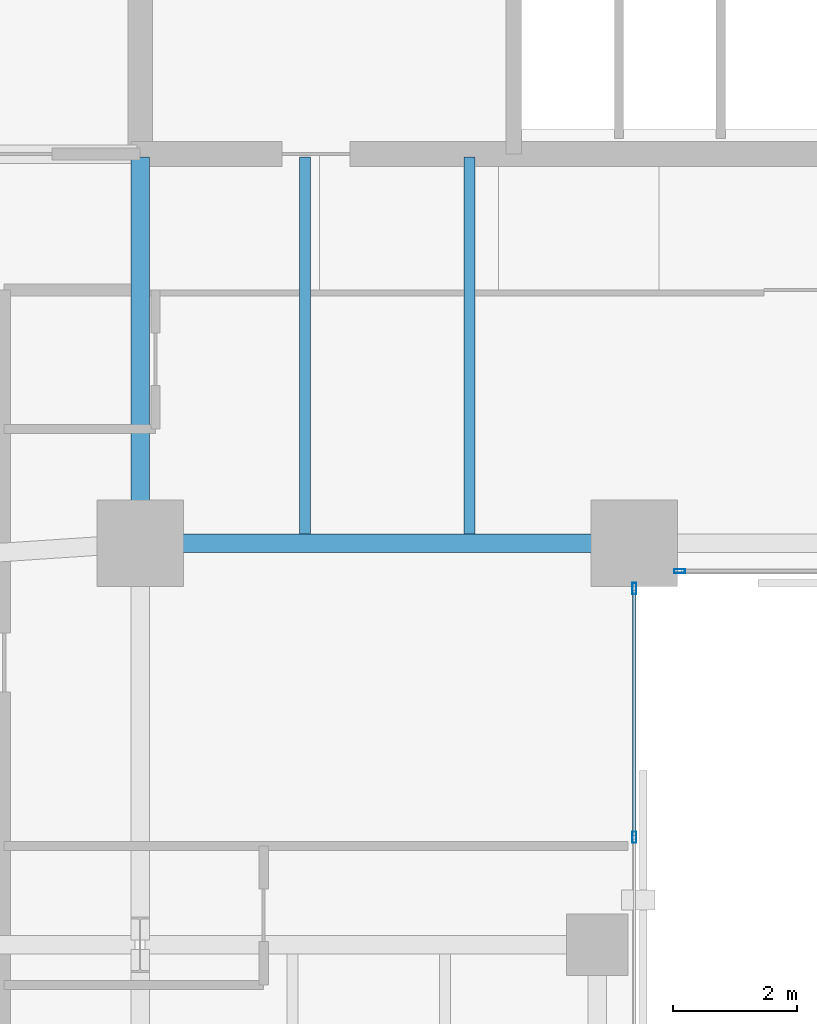
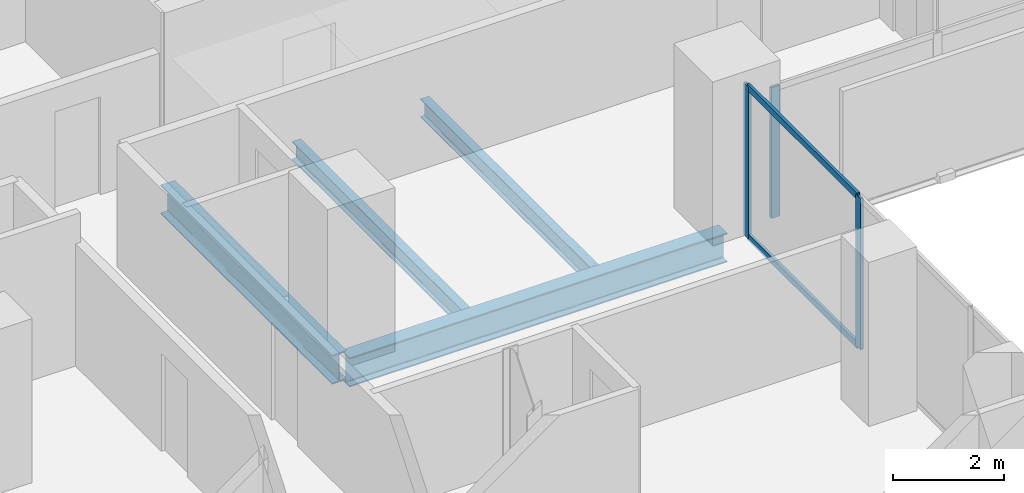
# One storey, part 12 of 32: 5 members, 4 beams, 2 elements without a shape of their own.
"""IFC4 building model written with IfcOpenShell, lengths in metres."""

from ifc_helpers import new_model, si_unit, direction, frame, origin, origin_2d, place, context, subcontext, project, spatial, hollow_rectangle, i_section, extrude, material, layer, layer_set, material_profile, profile_set, type_object, element, aggregate, save


model = new_model("IFC4")

# Units and contexts
model_context = context("Model", 3, precision=1e-05, world=origin(), true_north=direction((0.0, 1.0)))
body_context = subcontext(model_context, "Body", "Model", "MODEL_VIEW")
ifc_project = project(units=[si_unit("LENGTHUNIT", "METRE"), si_unit("AREAUNIT", "SQUARE_METRE"), si_unit("VOLUMEUNIT", "CUBIC_METRE"), si_unit("PLANEANGLEUNIT", "RADIAN"), si_unit("MASSUNIT", "GRAM", prefix="KILO")], contexts=[model_context])

# Site, building, storey
site_placement = place(None, origin())
site = spatial("IfcSite", under=ifc_project, at=site_placement, CompositionType="ELEMENT")
building_placement = place(site_placement, origin())
building = spatial("IfcBuilding", under=site, at=building_placement, Name="Catumbela Crestline Tower", CompositionType="ELEMENT")
storey_placement = place(building_placement, frame((0.0, 0.0, 33.0)))
storey = spatial("IfcBuildingStorey", under=building, at=storey_placement, Name="L07", CompositionType="ELEMENT", Elevation=33.0)

# Beams
ifc_material_1 = material(Name="Structural steel S355J2", Category="steel")
ifc_material_profile_1 = material_profile(ifc_material_1, i_section(OverallWidth=0.3, OverallDepth=0.64, WebThickness=0.0135, FlangeThickness=0.026, FilletRadius=0.027, at=origin_2d()), Name="HEA 650")
ifc_profile_set_1 = profile_set([ifc_material_profile_1], Name="Structural steel S355J2")
beam_type_1 = type_object("IfcBeamType", Name="BG-HEA650", PredefinedType="BEAM", material=ifc_profile_set_1)
beam_1_placement = place(storey_placement, frame((16.08, 24.5, -0.58), z_axis=(1.0, 0.0, 0.0), x_axis=(0.0, 1.0, 0.0)))
element("IfcBeam", 1, at=beam_1_placement, inside=storey, type_object=beam_type_1, Name="L07 Beam BM-L07-S04", PredefinedType="BEAM", context=body_context, shape_type="SweptSolid", body=[
    extrude(i_section(OverallWidth=0.3, OverallDepth=0.64, WebThickness=0.0135, FlangeThickness=0.026, FilletRadius=0.027, at=origin_2d()), origin(), (0.0, 0.0, 1.0), 7.84),
])
beam_2_placement = place(storey_placement, frame((16.0, 24.58, -0.58), z_axis=(0.0, 1.0, 0.0), x_axis=(-1.0, 0.0, 0.0)))
element("IfcBeam", 2, at=beam_2_placement, inside=storey, type_object=beam_type_1, Name="L07 Beam BM-L07-SNS31", PredefinedType="BEAM", context=body_context, shape_type="SweptSolid", body=[
    extrude(i_section(OverallWidth=0.3, OverallDepth=0.64, WebThickness=0.0135, FlangeThickness=0.026, FilletRadius=0.027, at=origin_2d()), origin(), (0.0, 0.0, 1.0), 6.17),
])
ifc_material_profile_2 = material_profile(ifc_material_1, i_section(OverallWidth=0.18, OverallDepth=0.4, WebThickness=0.0086, FlangeThickness=0.0135, FilletRadius=0.021, at=origin_2d()), Name="IPE 400")
ifc_profile_set_2 = profile_set([ifc_material_profile_2], Name="Structural steel S355J2")
beam_type_2 = type_object("IfcBeamType", Name="BJ-IPE400", PredefinedType="JOIST", material=ifc_profile_set_2)
for number, where, z_axis, x_axis, name in (
    (3, (18.667, 24.647, -0.46), (0.0, 1.0, 0.0), (-1.0, 0.0, 0.0), "L07 Joist JS-L07-SP42"),
    (4, (21.333, 24.647, -0.46), (0.0, 1.0, 0.0), (-1.0, 0.0, 0.0), "L07 Joist JS-L07-SP43"),
):
    element("IfcBeam", number, at=place(storey_placement, frame(where, z_axis=z_axis, x_axis=x_axis)), inside=storey, type_object=beam_type_2, Name=name, PredefinedType="JOIST", context=body_context, shape_type="SweptSolid", body=[
        extrude(i_section(OverallWidth=0.18, OverallDepth=0.4, WebThickness=0.0086, FlangeThickness=0.0135, FilletRadius=0.021, at=origin_2d()), origin(), (0.0, 0.0, 1.0), 6.103),
    ])

# Curtain wall, members
ifc_material_2 = material(Name="Aluminium alloy AW-6060-T66", Category="aluminium")
ifc_layer = layer(ifc_material_2, 0.18, Name="Aluminium alloy AW-6060-T66")
ifc_layer_set = layer_set([ifc_layer], Name="Aluminium alloy AW-6060-T66")
curtain_wall_type = type_object("IfcCurtainWallType", Name="CWU-Z1", PredefinedType="USERDEFINED", material=ifc_layer_set)
curtain_wall_1_placement = place(storey_placement, origin())
curtain_wall_1 = element("IfcCurtainWall", 5, at=curtain_wall_1_placement, inside=storey, type_object=curtain_wall_type, Name="L07 Unitised Curtain Wall CW-L07-E2S1", ObjectType="UNITISED", PredefinedType="USERDEFINED")
ifc_material_profile_3 = material_profile(ifc_material_2, hollow_rectangle(XDim=0.065, YDim=0.18, WallThickness=0.004, at=origin_2d()), Name="ALU 180x65x4")
ifc_profile_set_3 = profile_set([ifc_material_profile_3], Name="Aluminium alloy AW-6060-T66")
member_type_1 = type_object("IfcMemberType", Name="MUL-180X65", PredefinedType="MULLION", material=ifc_profile_set_3)
member_1_placement = place(storey_placement, frame((24.0, 19.74, 0.0), z_axis=(0.0, 0.0, 1.0), x_axis=(-1.0, 0.0, 0.0)))
member_1 = element("IfcMember", 6, at=member_1_placement, type_object=member_type_1, Name="CWU-Z1 mullion 5", PredefinedType="MULLION", context=body_context, shape_type="SweptSolid", body=[
    extrude(hollow_rectangle(XDim=0.065, YDim=0.18, WallThickness=0.004, at=origin_2d()), origin(), (0.0, 0.0, 1.0), 3.33),
])
member_2_placement = place(storey_placement, frame((24.0, 23.7675, 0.0), z_axis=(0.0, 0.0, 1.0), x_axis=(-1.0, 0.0, 0.0)))
member_2 = element("IfcMember", 7, at=member_2_placement, type_object=member_type_1, Name="CWU-Z1 mullion 6", PredefinedType="MULLION", context=body_context, shape_type="SweptSolid", body=[
    extrude(hollow_rectangle(XDim=0.065, YDim=0.18, WallThickness=0.004, at=origin_2d()), origin(), (0.0, 0.0, 1.0), 3.33),
])

# Curtain wall, member
curtain_wall_2_placement = place(storey_placement, origin())
curtain_wall_2 = element("IfcCurtainWall", 8, at=curtain_wall_2_placement, inside=storey, type_object=curtain_wall_type, Name="L07 Unitised Curtain Wall CW-L07-E3S1", ObjectType="UNITISED", PredefinedType="USERDEFINED")
member_3_placement = place(storey_placement, frame((24.7325, 24.05, 0.0), z_axis=(0.0, 0.0, 1.0), x_axis=(0.0, 1.0, 0.0)))
member_3 = element("IfcMember", 9, at=member_3_placement, type_object=member_type_1, Name="CWU-Z1 mullion 1", PredefinedType="MULLION", context=body_context, shape_type="SweptSolid", body=[
    extrude(hollow_rectangle(XDim=0.065, YDim=0.18, WallThickness=0.004, at=origin_2d()), origin(), (0.0, 0.0, 1.0), 2.87),
])
aggregate(curtain_wall_2, [member_3])

# Member
ifc_material_profile_4 = material_profile(ifc_material_2, hollow_rectangle(XDim=0.06, YDim=0.14, WallThickness=0.004, at=origin_2d()), Name="ALU 140x60x4")
ifc_profile_set_4 = profile_set([ifc_material_profile_4], Name="Aluminium alloy AW-6060-T66")
member_type_2 = type_object("IfcMemberType", Name="TRN-140X60", PredefinedType="USERDEFINED", material=ifc_profile_set_4)
member_4_placement = place(storey_placement, frame((24.0, 19.7725, 0.03), z_axis=(0.0, 1.0, 0.0), x_axis=(-1.0, 0.0, 0.0)))
member_4 = element("IfcMember", 10, at=member_4_placement, type_object=member_type_2, Name="CWU-Z1 transom 5.1", ObjectType="TRANSOM", PredefinedType="USERDEFINED", context=body_context, shape_type="SweptSolid", body=[
    extrude(hollow_rectangle(XDim=0.06, YDim=0.14, WallThickness=0.004, at=origin_2d()), origin(), (0.0, 0.0, 1.0), 3.9625),
])

member_5_placement = place(storey_placement, frame((24.0, 19.7725, 3.3), z_axis=(0.0, 1.0, 0.0), x_axis=(-1.0, 0.0, 0.0)))
member_5 = element("IfcMember", 11, at=member_5_placement, type_object=member_type_2, Name="CWU-Z1 transom 5.2", ObjectType="TRANSOM", PredefinedType="USERDEFINED", context=body_context, shape_type="SweptSolid", body=[
    extrude(hollow_rectangle(XDim=0.06, YDim=0.14, WallThickness=0.004, at=origin_2d()), origin(), (0.0, 0.0, 1.0), 3.9625),
])

aggregate(curtain_wall_1, [member_1, member_2, member_4, member_5])

save(model, "model.ifc")
